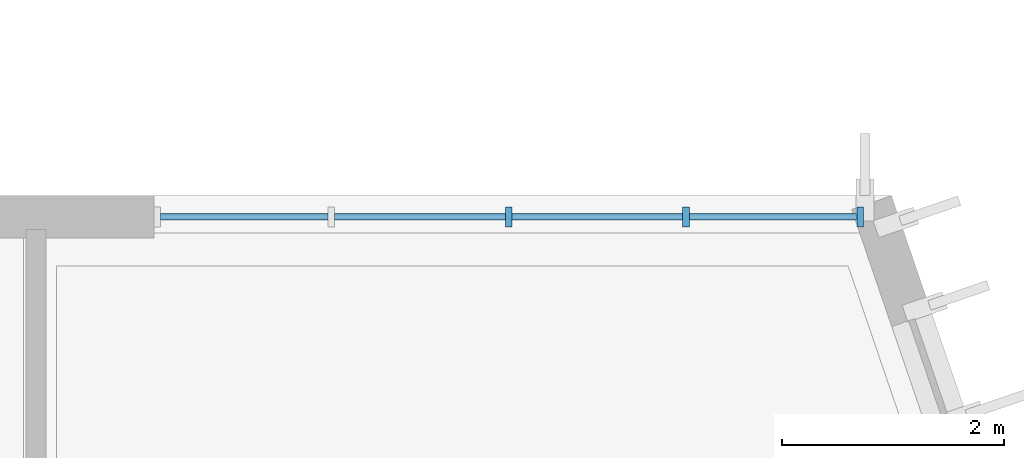
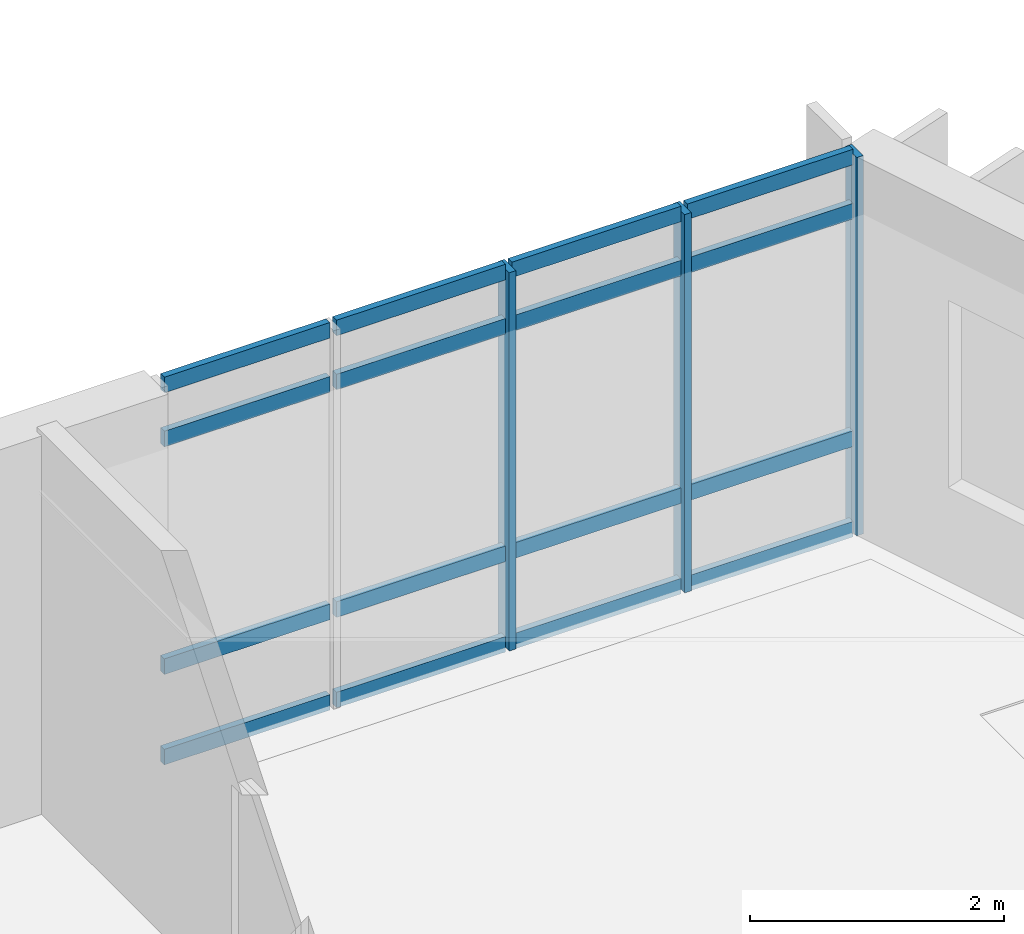
# One storey, part 16 of 43: 19 members, 1 element without a shape of its own.
"""IFC4 building model written with IfcOpenShell, lengths in metres."""

from ifc_helpers import new_model, si_unit, direction, frame, origin, origin_2d, place, context, subcontext, project, spatial, rectangle, extrude, material, material_profile, profile_set, type_object, element, aggregate, save


model = new_model("IFC4")

# Units and contexts
model_context = context("Model", 3, precision=1e-05, world=origin(), true_north=direction((0.0, 1.0)))
body_context = subcontext(model_context, "Body", "Model", "MODEL_VIEW")
ifc_project = project(units=[si_unit("LENGTHUNIT", "METRE"), si_unit("AREAUNIT", "SQUARE_METRE"), si_unit("VOLUMEUNIT", "CUBIC_METRE"), si_unit("PLANEANGLEUNIT", "RADIAN"), si_unit("MASSUNIT", "GRAM", prefix="KILO")], contexts=[model_context])

# Site, building, storey
site_placement = place(None, origin())
site = spatial("IfcSite", under=ifc_project, at=site_placement, CompositionType="ELEMENT")
building_placement = place(site_placement, origin())
building = spatial("IfcBuilding", under=site, at=building_placement, Name="Cymarion Research Institute", CompositionType="ELEMENT")
storey_placement = place(building_placement, frame((0.0, 0.0, 22.800048828125)))
storey = spatial("IfcBuildingStorey", under=building, at=storey_placement, Name="L05", CompositionType="ELEMENT", Elevation=22.800048828125)

# Curtain wall, members
ifc_material_1 = material(Name="Anodised aluminium unitised curtain wall with Low-E glazing", Category="aluminium")
curtain_wall_type = type_object("IfcCurtainWallType", Name="UNITISED CURTAIN WALL CW47 6390X3640", PredefinedType="NOTDEFINED", material=ifc_material_1)
curtain_wall_placement = place(storey_placement, origin())
curtain_wall = element("IfcCurtainWall", 1, at=curtain_wall_placement, inside=storey, type_object=curtain_wall_type, Name="L05 V1 unitised curtain wall CW47 #202", PredefinedType="NOTDEFINED")
ifc_material_2 = material(Name="Anodised aluminium framing", Category="aluminium")
ifc_material_profile_1 = material_profile(ifc_material_2, rectangle(XDim=0.06005859375, YDim=0.179931640625, at=origin_2d()), Name="ALU MULLION 60x180")
ifc_profile_set_1 = profile_set([ifc_material_profile_1], Name="Anodised aluminium framing")
member_type_1 = type_object("IfcMemberType", Name="CURTAIN WALL MULLION ML01 60X180", PredefinedType="MULLION", material=ifc_profile_set_1)
member_1_placement = place(storey_placement, frame((164.116455078125, 41.31005859375, 0.0), z_axis=(0.0, 0.0, 1.0), x_axis=(-1.0, 0.0, 0.0)))
member_1 = element("IfcMember", 2, at=member_1_placement, type_object=member_type_1, Name="CW47 mullion 1", PredefinedType="MULLION", context=body_context, shape_type="SweptSolid", body=[
    extrude(rectangle(XDim=0.06005859375, YDim=0.179931640625, at=origin_2d()), origin(), (0.0, 0.0, 1.0), 3.639892578125),
])
member_2_placement = place(storey_placement, frame((162.5498046875, 41.31005859375, 0.0), z_axis=(0.0, 0.0, 1.0), x_axis=(-1.0, 0.0, 0.0)))
member_2 = element("IfcMember", 3, at=member_2_placement, type_object=member_type_1, Name="CW47 mullion 2", PredefinedType="MULLION", context=body_context, shape_type="SweptSolid", body=[
    extrude(rectangle(XDim=0.06005859375, YDim=0.179931640625, at=origin_2d()), origin(), (0.0, 0.0, 1.0), 3.639892578125),
])
member_3_placement = place(storey_placement, frame((160.953125, 41.31005859375, 0.0), z_axis=(0.0, 0.0, 1.0), x_axis=(-1.0, 0.0, 0.0)))
member_3 = element("IfcMember", 4, at=member_3_placement, type_object=member_type_1, Name="CW47 mullion 3", PredefinedType="MULLION", context=body_context, shape_type="SweptSolid", body=[
    extrude(rectangle(XDim=0.06005859375, YDim=0.179931640625, at=origin_2d()), origin(), (0.0, 0.0, 1.0), 3.639892578125),
])
ifc_material_profile_2 = material_profile(ifc_material_2, rectangle(XDim=0.06005859375, YDim=0.14990234375, at=origin_2d()), Name="ALU TRANSOM 60x150")
ifc_profile_set_2 = profile_set([ifc_material_profile_2], Name="Anodised aluminium framing")
member_type_2 = type_object("IfcMemberType", Name="CURTAIN WALL TRANSOM TR01 60X150", PredefinedType="USERDEFINED", material=ifc_profile_set_2)
member_4_placement = place(storey_placement, frame((164.08642578125, 41.31005859375, 0.030029296875), z_axis=(-1.0, 0.0, 0.0), x_axis=(0.0, -1.0, 0.0)))
member_4 = element("IfcMember", 5, at=member_4_placement, type_object=member_type_2, Name="CW47 transom 1.1", ObjectType="TRANSOM", PredefinedType="USERDEFINED", context=body_context, shape_type="SweptSolid", body=[
    extrude(rectangle(XDim=0.06005859375, YDim=0.14990234375, at=origin_2d()), origin(), (0.0, 0.0, 1.0), 1.506591796875),
])
member_5_placement = place(storey_placement, frame((164.08642578125, 41.31005859375, 0.89990234375), z_axis=(-1.0, 0.0, 0.0), x_axis=(0.0, -1.0, 0.0)))
member_5 = element("IfcMember", 6, at=member_5_placement, type_object=member_type_2, Name="CW47 transom 1.2", ObjectType="TRANSOM", PredefinedType="USERDEFINED", context=body_context, shape_type="SweptSolid", body=[
    extrude(rectangle(XDim=0.06005859375, YDim=0.14990234375, at=origin_2d()), origin(), (0.0, 0.0, 1.0), 1.506591796875),
])
member_6_placement = place(storey_placement, frame((164.08642578125, 41.31005859375, 3.08984375), z_axis=(-1.0, 0.0, 0.0), x_axis=(0.0, -1.0, 0.0)))
member_6 = element("IfcMember", 7, at=member_6_placement, type_object=member_type_2, Name="CW47 transom 1.3", ObjectType="TRANSOM", PredefinedType="USERDEFINED", context=body_context, shape_type="SweptSolid", body=[
    extrude(rectangle(XDim=0.06005859375, YDim=0.14990234375, at=origin_2d()), origin(), (0.0, 0.0, 1.0), 1.506591796875),
])
member_7_placement = place(storey_placement, frame((164.08642578125, 41.31005859375, 3.60986328125), z_axis=(-1.0, 0.0, 0.0), x_axis=(0.0, -1.0, 0.0)))
member_7 = element("IfcMember", 8, at=member_7_placement, type_object=member_type_2, Name="CW47 transom 1.4", ObjectType="TRANSOM", PredefinedType="USERDEFINED", context=body_context, shape_type="SweptSolid", body=[
    extrude(rectangle(XDim=0.06005859375, YDim=0.14990234375, at=origin_2d()), origin(), (0.0, 0.0, 1.0), 1.506591796875),
])
member_8_placement = place(storey_placement, frame((162.519775390625, 41.31005859375, 0.030029296875), z_axis=(-1.0, 0.0, 0.0), x_axis=(0.0, -1.0, 0.0)))
member_8 = element("IfcMember", 9, at=member_8_placement, type_object=member_type_2, Name="CW47 transom 2.1", ObjectType="TRANSOM", PredefinedType="USERDEFINED", context=body_context, shape_type="SweptSolid", body=[
    extrude(rectangle(XDim=0.06005859375, YDim=0.14990234375, at=origin_2d()), origin(), (0.0, 0.0, 1.0), 1.53662109375),
])
member_9_placement = place(storey_placement, frame((162.519775390625, 41.31005859375, 0.89990234375), z_axis=(-1.0, 0.0, 0.0), x_axis=(0.0, -1.0, 0.0)))
member_9 = element("IfcMember", 10, at=member_9_placement, type_object=member_type_2, Name="CW47 transom 2.2", ObjectType="TRANSOM", PredefinedType="USERDEFINED", context=body_context, shape_type="SweptSolid", body=[
    extrude(rectangle(XDim=0.06005859375, YDim=0.14990234375, at=origin_2d()), origin(), (0.0, 0.0, 1.0), 1.53662109375),
])
member_10_placement = place(storey_placement, frame((162.519775390625, 41.31005859375, 3.08984375), z_axis=(-1.0, 0.0, 0.0), x_axis=(0.0, -1.0, 0.0)))
member_10 = element("IfcMember", 11, at=member_10_placement, type_object=member_type_2, Name="CW47 transom 2.3", ObjectType="TRANSOM", PredefinedType="USERDEFINED", context=body_context, shape_type="SweptSolid", body=[
    extrude(rectangle(XDim=0.06005859375, YDim=0.14990234375, at=origin_2d()), origin(), (0.0, 0.0, 1.0), 1.53662109375),
])
member_11_placement = place(storey_placement, frame((162.519775390625, 41.31005859375, 3.60986328125), z_axis=(-1.0, 0.0, 0.0), x_axis=(0.0, -1.0, 0.0)))
member_11 = element("IfcMember", 12, at=member_11_placement, type_object=member_type_2, Name="CW47 transom 2.4", ObjectType="TRANSOM", PredefinedType="USERDEFINED", context=body_context, shape_type="SweptSolid", body=[
    extrude(rectangle(XDim=0.06005859375, YDim=0.14990234375, at=origin_2d()), origin(), (0.0, 0.0, 1.0), 1.53662109375),
])
member_12_placement = place(storey_placement, frame((160.923095703125, 41.31005859375, 0.030029296875), z_axis=(-1.0, 0.0, 0.0), x_axis=(0.0, -1.0, 0.0)))
member_12 = element("IfcMember", 13, at=member_12_placement, type_object=member_type_2, Name="CW47 transom 3.1", ObjectType="TRANSOM", PredefinedType="USERDEFINED", context=body_context, shape_type="SweptSolid", body=[
    extrude(rectangle(XDim=0.06005859375, YDim=0.14990234375, at=origin_2d()), origin(), (0.0, 0.0, 1.0), 1.53662109375),
])
member_13_placement = place(storey_placement, frame((160.923095703125, 41.31005859375, 0.89990234375), z_axis=(-1.0, 0.0, 0.0), x_axis=(0.0, -1.0, 0.0)))
member_13 = element("IfcMember", 14, at=member_13_placement, type_object=member_type_2, Name="CW47 transom 3.2", ObjectType="TRANSOM", PredefinedType="USERDEFINED", context=body_context, shape_type="SweptSolid", body=[
    extrude(rectangle(XDim=0.06005859375, YDim=0.14990234375, at=origin_2d()), origin(), (0.0, 0.0, 1.0), 1.53662109375),
])
member_14_placement = place(storey_placement, frame((160.923095703125, 41.31005859375, 3.08984375), z_axis=(-1.0, 0.0, 0.0), x_axis=(0.0, -1.0, 0.0)))
member_14 = element("IfcMember", 15, at=member_14_placement, type_object=member_type_2, Name="CW47 transom 3.3", ObjectType="TRANSOM", PredefinedType="USERDEFINED", context=body_context, shape_type="SweptSolid", body=[
    extrude(rectangle(XDim=0.06005859375, YDim=0.14990234375, at=origin_2d()), origin(), (0.0, 0.0, 1.0), 1.53662109375),
])
member_15_placement = place(storey_placement, frame((160.923095703125, 41.31005859375, 3.60986328125), z_axis=(-1.0, 0.0, 0.0), x_axis=(0.0, -1.0, 0.0)))
member_15 = element("IfcMember", 16, at=member_15_placement, type_object=member_type_2, Name="CW47 transom 3.4", ObjectType="TRANSOM", PredefinedType="USERDEFINED", context=body_context, shape_type="SweptSolid", body=[
    extrude(rectangle(XDim=0.06005859375, YDim=0.14990234375, at=origin_2d()), origin(), (0.0, 0.0, 1.0), 1.53662109375),
])
member_16_placement = place(storey_placement, frame((159.326416015625, 41.31005859375, 0.030029296875), z_axis=(-1.0, 0.0, 0.0), x_axis=(0.0, -1.0, 0.0)))
member_16 = element("IfcMember", 17, at=member_16_placement, type_object=member_type_2, Name="CW47 transom 4.1", ObjectType="TRANSOM", PredefinedType="USERDEFINED", context=body_context, shape_type="SweptSolid", body=[
    extrude(rectangle(XDim=0.06005859375, YDim=0.14990234375, at=origin_2d()), origin(), (0.0, 0.0, 1.0), 1.506591796875),
])
member_17_placement = place(storey_placement, frame((159.326416015625, 41.31005859375, 0.89990234375), z_axis=(-1.0, 0.0, 0.0), x_axis=(0.0, -1.0, 0.0)))
member_17 = element("IfcMember", 18, at=member_17_placement, type_object=member_type_2, Name="CW47 transom 4.2", ObjectType="TRANSOM", PredefinedType="USERDEFINED", context=body_context, shape_type="SweptSolid", body=[
    extrude(rectangle(XDim=0.06005859375, YDim=0.14990234375, at=origin_2d()), origin(), (0.0, 0.0, 1.0), 1.506591796875),
])
member_18_placement = place(storey_placement, frame((159.326416015625, 41.31005859375, 3.08984375), z_axis=(-1.0, 0.0, 0.0), x_axis=(0.0, -1.0, 0.0)))
member_18 = element("IfcMember", 19, at=member_18_placement, type_object=member_type_2, Name="CW47 transom 4.3", ObjectType="TRANSOM", PredefinedType="USERDEFINED", context=body_context, shape_type="SweptSolid", body=[
    extrude(rectangle(XDim=0.06005859375, YDim=0.14990234375, at=origin_2d()), origin(), (0.0, 0.0, 1.0), 1.506591796875),
])
member_19_placement = place(storey_placement, frame((159.326416015625, 41.31005859375, 3.60986328125), z_axis=(-1.0, 0.0, 0.0), x_axis=(0.0, -1.0, 0.0)))
member_19 = element("IfcMember", 20, at=member_19_placement, type_object=member_type_2, Name="CW47 transom 4.4", ObjectType="TRANSOM", PredefinedType="USERDEFINED", context=body_context, shape_type="SweptSolid", body=[
    extrude(rectangle(XDim=0.06005859375, YDim=0.14990234375, at=origin_2d()), origin(), (0.0, 0.0, 1.0), 1.506591796875),
])
aggregate(curtain_wall, [member_1, member_2, member_3, member_4, member_5, member_6, member_7, member_8, member_9, member_10, member_11, member_12, member_13, member_14, member_15, member_16, member_17, member_18, member_19])

save(model, "model.ifc")
